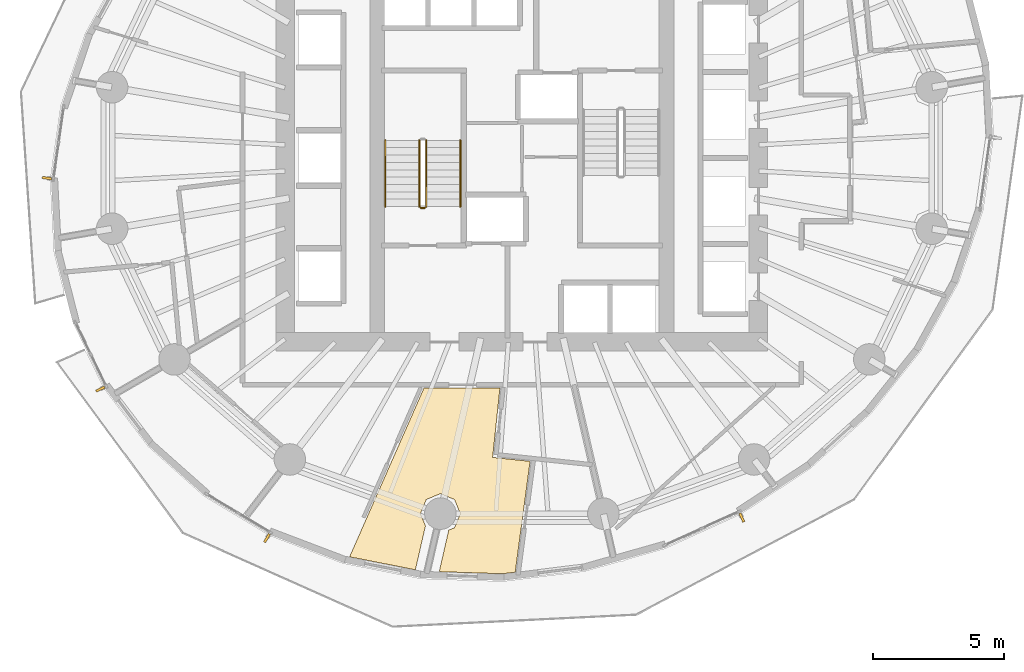
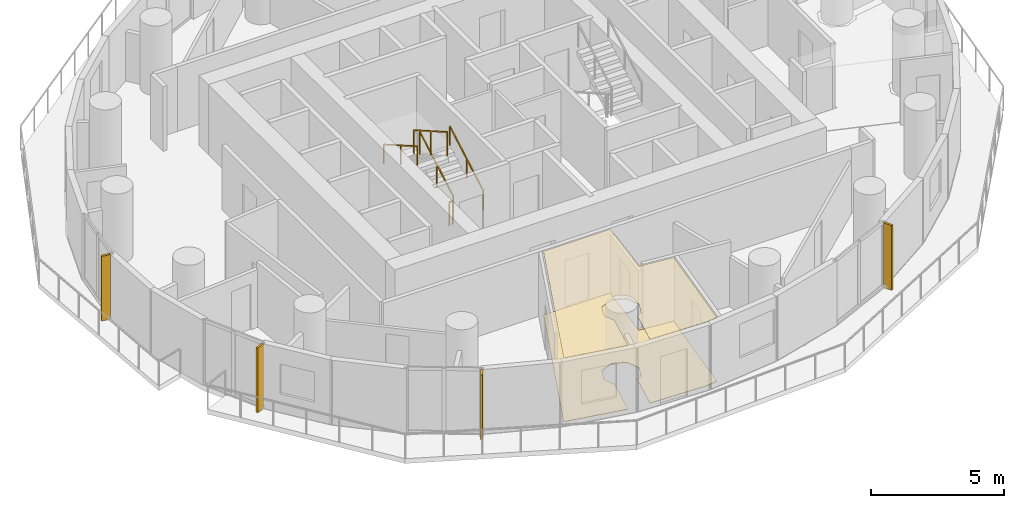
# One storey, part 11 of 14: 5 railings, 4 shading devices, 2 coverings.
"""IFC4 building model written with IfcOpenShell, lengths in metres."""

from ifc_helpers import new_model, si_unit, direction, frame, origin, origin_2d, place, context, subcontext, project, spatial, polyline, rectangle, outline, extrude, material, layer, layer_set, type_object, element, save


model = new_model("IFC4")

# Units and contexts
model_context = context("Model", 3, precision=1e-05, world=origin(), true_north=direction((0.0, 1.0)))
body_context = subcontext(model_context, "Body", "Model", "MODEL_VIEW")
ifc_project = project(units=[si_unit("LENGTHUNIT", "METRE"), si_unit("AREAUNIT", "SQUARE_METRE"), si_unit("VOLUMEUNIT", "CUBIC_METRE"), si_unit("PLANEANGLEUNIT", "RADIAN"), si_unit("MASSUNIT", "GRAM", prefix="KILO")], contexts=[model_context])

# Site, building, storey
site_placement = place(None, origin())
site = spatial("IfcSite", under=ifc_project, at=site_placement, CompositionType="ELEMENT")
building_placement = place(site_placement, origin())
building = spatial("IfcBuilding", under=site, at=building_placement, Name="Veldorim Arch Residences", CompositionType="ELEMENT")
storey_placement = place(building_placement, frame((0.0, 0.0, 90.080078125)))
storey = spatial("IfcBuildingStorey", under=building, at=storey_placement, Name="L26", CompositionType="ELEMENT", Elevation=90.080078125)

# Railings
ifc_material_1 = material(Name="Steel S355", Category="steel")
railing_type_1 = type_object("IfcRailingType", Name="Galvanised Steel Stair Safety Guardrail 1100", PredefinedType="GUARDRAIL", material=ifc_material_1)
railing_1_placement = place(storey_placement, frame((28.360107421875, 22.14990234375, 0.159912109375)))
element("IfcRailing", 1, at=railing_1_placement, inside=storey, type_object=railing_type_1, Name="L26 ST-1 stair guard 1", PredefinedType="GUARDRAIL", context=body_context, shape_type="SweptSolid", body=[
    extrude(rectangle(XDim=0.048095703125, YDim=0.048095703125, at=origin_2d()), frame((0.0, 0.0, 1.076171875), z_axis=(0.0, 0.868253494771, 0.496120820787), x_axis=(-1.0, 0.0, 0.0)), (0.0, 0.0, 1.0), 2.90234375),
    extrude(rectangle(XDim=0.0419921875, YDim=0.0419921875, at=origin_2d()), origin(), (0.0, 0.0, 1.0), 1.052001953125),
    extrude(rectangle(XDim=0.0419921875, YDim=0.0419921875, at=origin_2d()), frame((0.0, 1.260009765625, 0.719970703125)), (0.0, 0.0, 1.0), 1.052001953125),
    extrude(rectangle(XDim=0.0419921875, YDim=0.0419921875, at=origin_2d()), frame((0.0, 2.52001953125, 1.43994140625)), (0.0, 0.0, 1.0), 1.052001953125),
])
railing_2_placement = place(storey_placement, frame((28.10009765625, 24.669921875, 1.760009765625)))
element("IfcRailing", 2, at=railing_2_placement, inside=storey, type_object=railing_type_1, Name="L26 ST-1 stair guard 3", PredefinedType="GUARDRAIL", context=body_context, shape_type="SweptSolid", body=[
    extrude(rectangle(XDim=0.048095703125, YDim=0.048095703125, at=origin_2d()), frame((0.0, 0.0, 1.076171875), z_axis=(0.0, -0.868253494771, 0.496120820787), x_axis=(1.0, 0.0, 0.0)), (0.0, 0.0, 1.0), 2.90234375),
    extrude(rectangle(XDim=0.0419921875, YDim=0.0419921875, at=origin_2d()), origin(), (0.0, 0.0, 1.0), 1.052001953125),
    extrude(rectangle(XDim=0.0419921875, YDim=0.0419921875, at=origin_2d()), frame((0.0, -1.260009765625, 0.719970703125)), (0.0, 0.0, 1.0), 1.052001953125),
    extrude(rectangle(XDim=0.0419921875, YDim=0.0419921875, at=origin_2d()), frame((0.0, -2.52001953125, 1.43994140625)), (0.0, 0.0, 1.0), 1.052001953125),
])
railing_3_placement = place(storey_placement, frame((28.31005859375, 22.10009765625, 0.0)))
element("IfcRailing", 3, at=railing_3_placement, inside=storey, type_object=railing_type_1, Name="L26 ST-1 stair guard 4", PredefinedType="GUARDRAIL", context=body_context, shape_type="SweptSolid", body=[
    extrude(rectangle(XDim=0.048095703125, YDim=0.048095703125, at=origin_2d()), frame((0.0, 0.0, 1.076171875), z_axis=(-1.0, 0.0, 0.0), x_axis=(0.0, -1.0, 0.0)), (0.0, 0.0, 1.0), 0.16015625),
    extrude(rectangle(XDim=0.0419921875, YDim=0.0419921875, at=origin_2d()), origin(), (0.0, 0.0, 1.0), 1.052001953125),
    extrude(rectangle(XDim=0.0419921875, YDim=0.0419921875, at=origin_2d()), frame((-0.16015625, 0.0, 0.0)), (0.0, 0.0, 1.0), 1.052001953125),
])

# Coverings
ifc_material_2 = material(Name="Acoustic Gypsum & Mineral Fibre", Category="gypsum")
ifc_layer_1 = layer(ifc_material_2, 0.034912109375, Name="Perforated Acoustic Mineral-Fibre Ceiling 35")
ifc_layer_set_1 = layer_set([ifc_layer_1], Name="Acoustic Gypsum & Mineral Fibre")
covering_type_1 = type_object("IfcCoveringType", Name="Perforated Acoustic Mineral-Fibre Ceiling 35", PredefinedType="CEILING", material=ifc_layer_set_1)
covering_1_placement = place(storey_placement, frame((0.0, 0.0, 2.905029296875)))
element("IfcCovering", 4, at=covering_1_placement, inside=storey, type_object=covering_type_1, Name="L26 acoustic suspended ceiling 01", PredefinedType="CEILING", context=body_context, shape_type="SweptSolid", body=[
    extrude(outline(polyline([(27.94677734375, 8.32861328125), (25.442626953125, 8.8212890625), (28.275390625, 15.25), (31.1650390625, 15.25), (30.8857421875, 12.6064453125), (32.31201171875, 12.455810546875), (31.74609375, 8.23779296875), (31.26171875, 8.177734375), (28.853515625, 8.256591796875), (29.2158203125, 9.8369140625), (29.435302734375, 9.927978515625), (29.657958984375, 10.465087890625), (29.435302734375, 11.00244140625), (28.898193359375, 11.22509765625), (28.36083984375, 11.00244140625), (28.13818359375, 10.465087890625), (28.330078125, 10.001708984375), (27.94677734375, 8.32861328125)])), origin(), (0.0, 0.0, 1.0), 0.034912109375),
])
ifc_material_3 = material(Name="Porcelain Ceramic Tile", Category="ceramic")
ifc_layer_2 = layer(ifc_material_3, 0.02001953125, Name="Slip-Resistant Porcelain & Vinyl Floor Finish 20")
ifc_layer_set_2 = layer_set([ifc_layer_2], Name="Porcelain Ceramic Tile")
covering_type_2 = type_object("IfcCoveringType", Name="Slip-Resistant Porcelain & Vinyl Floor Finish 20", PredefinedType="FLOORING", material=ifc_layer_set_2)
covering_2_placement = place(storey_placement, origin())
element("IfcCovering", 5, at=covering_2_placement, inside=storey, type_object=covering_type_2, Name="L26 porcelain floor finish 01", PredefinedType="FLOORING", context=body_context, shape_type="SweptSolid", body=[
    extrude(outline(polyline([(27.94677734375, 8.32861328125), (25.442626953125, 8.8212890625), (28.275390625, 15.25), (31.1650390625, 15.25), (30.8857421875, 12.6064453125), (32.31201171875, 12.455810546875), (31.74609375, 8.23779296875), (31.26171875, 8.177734375), (28.853515625, 8.256591796875), (29.2158203125, 9.8369140625), (29.435302734375, 9.927978515625), (29.657958984375, 10.465087890625), (29.435302734375, 11.00244140625), (28.898193359375, 11.22509765625), (28.36083984375, 11.00244140625), (28.13818359375, 10.465087890625), (28.330078125, 10.001708984375), (27.94677734375, 8.32861328125)])), origin(), (0.0, 0.0, 1.0), 0.02001953125),
])

# Railings
ifc_material_4 = material(Name="Stainless Steel", Category="steel")
railing_type_2 = type_object("IfcRailingType", Name="Tubular Steel Continuous Wall Handrail 900", PredefinedType="HANDRAIL", material=ifc_material_4)
railing_4_placement = place(storey_placement, frame((29.659912109375, 22.14990234375, 0.159912109375)))
element("IfcRailing", 6, at=railing_4_placement, inside=storey, type_object=railing_type_2, Name="L26 ST-1 stair handrail 1", PredefinedType="HANDRAIL", context=body_context, shape_type="SweptSolid", body=[
    extrude(rectangle(XDim=0.048095703125, YDim=0.048095703125, at=origin_2d()), frame((0.0, 0.0, 0.8759765625), z_axis=(0.0, 0.868253494771, 0.496120820787), x_axis=(-1.0, 0.0, 0.0)), (0.0, 0.0, 1.0), 2.90234375),
    extrude(rectangle(XDim=0.0419921875, YDim=0.0419921875, at=origin_2d()), origin(), (0.0, 0.0, 1.0), 0.851806640625),
    extrude(rectangle(XDim=0.0419921875, YDim=0.0419921875, at=origin_2d()), frame((0.0, 1.260009765625, 0.719970703125)), (0.0, 0.0, 1.0), 0.851806640625),
    extrude(rectangle(XDim=0.0419921875, YDim=0.0419921875, at=origin_2d()), frame((0.0, 2.52001953125, 1.43994140625)), (0.0, 0.0, 1.0), 0.851806640625),
])
railing_5_placement = place(storey_placement, frame((26.800048828125, 24.669921875, 1.760009765625)))
element("IfcRailing", 7, at=railing_5_placement, inside=storey, type_object=railing_type_2, Name="L26 ST-1 stair handrail 2", PredefinedType="HANDRAIL", context=body_context, shape_type="SweptSolid", body=[
    extrude(rectangle(XDim=0.048095703125, YDim=0.048095703125, at=origin_2d()), frame((0.0, 0.0, 0.8759765625), z_axis=(0.0, -0.868253494771, 0.496120820787), x_axis=(1.0, 0.0, 0.0)), (0.0, 0.0, 1.0), 2.90234375),
    extrude(rectangle(XDim=0.0419921875, YDim=0.0419921875, at=origin_2d()), origin(), (0.0, 0.0, 1.0), 0.851806640625),
    extrude(rectangle(XDim=0.0419921875, YDim=0.0419921875, at=origin_2d()), frame((0.0, -1.260009765625, 0.719970703125)), (0.0, 0.0, 1.0), 0.851806640625),
    extrude(rectangle(XDim=0.0419921875, YDim=0.0419921875, at=origin_2d()), frame((0.0, -2.52001953125, 1.43994140625)), (0.0, 0.0, 1.0), 0.851806640625),
])

# Shading devices
ifc_material_5 = material(Name="Terracotta Ceramic", Category="masonry")
ifc_layer_3 = layer(ifc_material_5, 0.090087890625, Name="Vertical Extruded Terracotta Baguette Sun-Shading Fin")
ifc_layer_set_3 = layer_set([ifc_layer_3], Name="Terracotta Ceramic")
shading_device_type = type_object("IfcShadingDeviceType", Name="Vertical Extruded Terracotta Baguette Sun-Shading Fin", PredefinedType="USERDEFINED", material=ifc_layer_set_3)
for number, where, z_axis, x_axis, name in (
    (8, (13.921630859375, 23.234375, 0.0), (0.0, 0.0, 1.0), (0.14055563991, 0.990072781208, 0.0), "L26 vertical terracotta sun-shading fin 16"),
    (9, (15.955322265625, 15.203125, 0.0), (0.0, 0.0, 1.0), (-0.437115766651, 0.899405251566, 0.0), "L26 vertical terracotta sun-shading fin 19"),
    (10, (22.29833984375, 9.5341796875, 0.0), (0.0, 0.0, 1.0), (-0.857616429769, 0.514289859311, 0.0), "L26 vertical terracotta sun-shading fin 22"),
    (11, (40.369384765625, 10.316650390625, 0.0), (0.0, 0.0, 1.0), (-0.909961270877, -0.414693242656, 0.0), "L26 vertical terracotta sun-shading fin 28"),
):
    element("IfcShadingDevice", number, at=place(storey_placement, frame(where, z_axis=z_axis, x_axis=x_axis)), inside=storey, type_object=shading_device_type, Name=name, ObjectType="FIN", PredefinedType="USERDEFINED", context=body_context, shape_type="SweptSolid", body=[
        extrude(rectangle(XDim=0.090087890625, YDim=0.360107421875, at=origin_2d()), origin(), (0.0, 0.0, 1.0), 2.9599609375),
    ])

save(model, "model.ifc")
